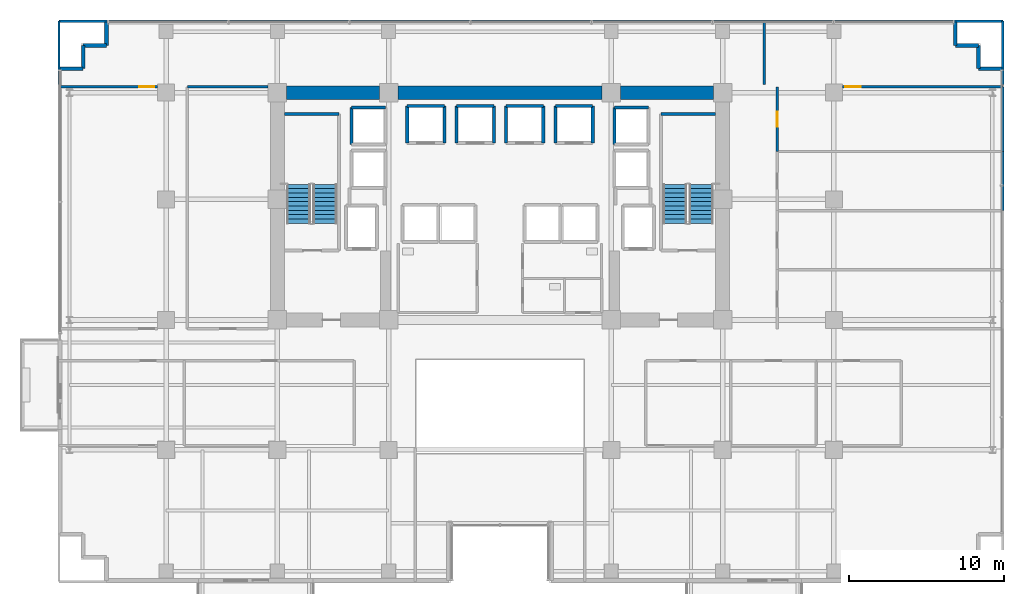
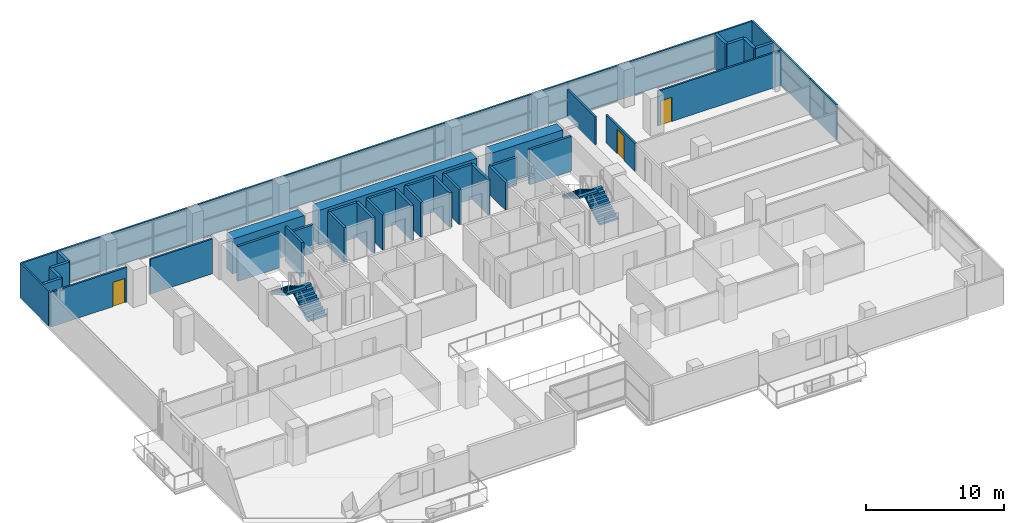
# One storey, part 27 of 32: 40 walls, 4 stair flights, 3 doors, 3 openings, 2 elements without a shape of their own.
"""IFC4 building model written with IfcOpenShell, lengths in metres."""

from ifc_helpers import new_model, si_unit, direction, frame, frame_2d, origin, place, context, subcontext, project, spatial, polyline, rectangle, outline, extrude, source, transform, mapped, material, layer, layer_set, type_object, element, fill, aggregate, save


model = new_model("IFC4")

# Units and contexts
model_context = context("Model", 3, precision=1e-05, world=origin(), true_north=direction((0.0, 1.0)))
body_context = subcontext(model_context, "Body", "Model", "MODEL_VIEW")
ifc_project = project(units=[si_unit("LENGTHUNIT", "METRE"), si_unit("AREAUNIT", "SQUARE_METRE"), si_unit("VOLUMEUNIT", "CUBIC_METRE"), si_unit("PLANEANGLEUNIT", "RADIAN"), si_unit("MASSUNIT", "GRAM", prefix="KILO")], contexts=[model_context])

# Site, building, storey
site_placement = place(None, origin())
site = spatial("IfcSite", under=ifc_project, at=site_placement, CompositionType="ELEMENT")
building_placement = place(site_placement, origin())
building = spatial("IfcBuilding", under=site, at=building_placement, Name="Zarnakvel Exchange Tower", CompositionType="ELEMENT")
storey_placement = place(building_placement, frame((0.0, 0.0, 73.60009765625)))
storey = spatial("IfcBuildingStorey", under=building, at=storey_placement, Name="L20", CompositionType="ELEMENT", Elevation=73.60009765625)

# Walls
ifc_material_1 = material(Name="Concrete C80/95", Category="concrete")
ifc_layer_1 = layer(ifc_material_1, 0.89990234375)
ifc_layer_set_1 = layer_set([ifc_layer_1], Name="Concrete C80/95")
wall_type_1 = type_object("IfcWallType", Name="CW-C1", PredefinedType="SHEAR", material=ifc_layer_set_1)
wall_1_placement = place(storey_placement, frame((-13.800048828125, 13.5, 0.0), z_axis=(0.0, 0.0, 1.0), x_axis=(1.0, 0.0, 0.0)))
element("IfcWall", 1, at=wall_1_placement, inside=storey, type_object=wall_type_1, Name="L20 Rear Core Shear Wall N1 (CW-C1)", PredefinedType="SHEAR", context=body_context, shape_type="SweptSolid", body=[
    extrude(rectangle(XDim=6.0, YDim=0.89990234375, at=frame_2d((3.0, 0.0))), origin(), (0.0, 0.0, 1.0), 3.074951171875),
])
wall_2_placement = place(storey_placement, frame((-6.60009765625, 13.5, 0.0), z_axis=(0.0, 0.0, 1.0), x_axis=(1.0, 0.0, 0.0)))
element("IfcWall", 2, at=wall_2_placement, inside=storey, type_object=wall_type_1, Name="L20 Rear Core Shear Wall N2 (CW-C1)", PredefinedType="SHEAR", context=body_context, shape_type="SweptSolid", body=[
    extrude(rectangle(XDim=13.2001953125, YDim=0.89990234375, at=frame_2d((6.60009765625, 0.0))), origin(), (0.0, 0.0, 1.0), 3.074951171875),
])
wall_3_placement = place(storey_placement, frame((7.800048828125, 13.5, 0.0), z_axis=(0.0, 0.0, 1.0), x_axis=(1.0, 0.0, 0.0)))
element("IfcWall", 3, at=wall_3_placement, inside=storey, type_object=wall_type_1, Name="L20 Rear Core Shear Wall N3 (CW-C1)", PredefinedType="SHEAR", context=body_context, shape_type="SweptSolid", body=[
    extrude(rectangle(XDim=6.0, YDim=0.89990234375, at=frame_2d((3.0, 0.0))), origin(), (0.0, 0.0, 1.0), 3.074951171875),
])
ifc_material_2 = material(Name="Precast concrete C40/50", Category="concrete")
ifc_layer_2 = layer(ifc_material_2, 0.239990234375)
ifc_layer_set_2 = layer_set([ifc_layer_2], Name="Precast concrete C40/50")
wall_type_2 = type_object("IfcWallType", Name="EW-02", PredefinedType="SOLIDWALL", material=ifc_layer_set_2)
for number, where, z_axis, x_axis, name in (
    (4, (-26.9599609375, 15.06005859375, 0.0), (0.0, 0.0, 1.0), (-1.0, 0.0, 0.0), "L20 Exterior Precast Spandrel Wall EWC-L20-03 (EW-02)"),
    (5, (-26.9599609375, 16.56005859375, 0.0), (0.0, 0.0, 1.0), (0.0, -1.0, 0.0), "L20 Exterior Precast Spandrel Wall EWC-L20-04 (EW-02)"),
    (6, (-25.4599609375, 16.56005859375, 0.0), (0.0, 0.0, 1.0), (-1.0, 0.0, 0.0), "L20 Exterior Precast Spandrel Wall EWC-L20-05 (EW-02)"),
    (7, (-25.4599609375, 18.06005859375, 0.0), (0.0, 0.0, 1.0), (0.0, -1.0, 0.0), "L20 Exterior Precast Spandrel Wall EWC-L20-06 (EW-02)"),
    (8, (29.4599609375, 16.56005859375, 0.0), (0.0, 0.0, 1.0), (0.0, 1.0, 0.0), "L20 Exterior Precast Spandrel Wall EWC-L20-07 (EW-02)"),
    (9, (30.9599609375, 16.56005859375, 0.0), (0.0, 0.0, 1.0), (-1.0, 0.0, 0.0), "L20 Exterior Precast Spandrel Wall EWC-L20-08 (EW-02)"),
    (10, (30.9599609375, 15.06005859375, 0.0), (0.0, 0.0, 1.0), (0.0, 1.0, 0.0), "L20 Exterior Precast Spandrel Wall EWC-L20-09 (EW-02)"),
    (11, (32.4599609375, 15.06005859375, 0.0), (0.0, 0.0, 1.0), (-1.0, 0.0, 0.0), "L20 Exterior Precast Spandrel Wall EWC-L20-10 (EW-02)"),
):
    element("IfcWall", number, at=place(storey_placement, frame(where, z_axis=z_axis, x_axis=x_axis)), inside=storey, type_object=wall_type_2, Name=name, PredefinedType="SOLIDWALL", context=body_context, shape_type="SweptSolid", body=[
        extrude(rectangle(XDim=1.5, YDim=0.239990234375, at=frame_2d((0.75, 0.0))), origin(), (0.0, 0.0, 1.0), 3.074951171875),
    ])

# Wall, opening, door
ifc_material_3 = material(Name="Fire-Rated Gypsum Stud Partition", Category="gypsum")
ifc_layer_3 = layer(ifc_material_3, 0.14990234375)
ifc_layer_set_3 = layer_set([ifc_layer_3], Name="Fire-Rated Gypsum Stud Partition")
wall_type_3 = type_object("IfcWallType", Name="PT-01", PredefinedType="PARTITIONING", material=ifc_layer_set_3)
wall_4_placement = place(storey_placement, frame((-28.530029296875, 13.8798828125, 0.0), z_axis=(0.0, 0.0, 1.0), x_axis=(1.0, 0.0, 0.0)))
wall_4 = element("IfcWall", 12, at=wall_4_placement, inside=storey, type_object=wall_type_3, Name="L20 Partition Wall PWALL-L20-046 (PT-01)", PredefinedType="PARTITIONING", context=body_context, shape_type="SweptSolid", body=[
    extrude(rectangle(XDim=6.360107421875, YDim=0.14990234375, at=frame_2d((3.18017578125, 0.0))), origin(), (0.0, 0.0, 1.0), 3.074951171875),
])
opening_1_placement = place(wall_4_placement, frame((5.199951171875, 0.0, 0.0)))
opening_1 = element("IfcOpeningElement", 13, at=opening_1_placement, cuts=wall_4, Name="Opening D-L20-22", PredefinedType="OPENING", context=body_context, shape_type="SweptSolid", body=[
    extrude(rectangle(XDim=0.97998046875, YDim=2.14990234375, at=frame_2d((0.489990234375, 1.074951171875))), frame((0.0, 0.0849609375, 0.0), z_axis=(0.0, -1.0, 0.0), x_axis=(1.0, 0.0, 0.0)), (0.0, 0.0, 1.0), 0.169921875),
])
ifc_material_4 = material(Name="Timber Acoustic Veneer", Category="wood")
door_type = type_object("IfcDoorType", Name="DT-05", OperationType="NOTDEFINED", PredefinedType="DOOR", material=ifc_material_4)
shared_shape = source(origin(), body_context, "Body", "SweptSolid", [
    extrude(rectangle(XDim=0.97998046875, YDim=2.14990234375, at=frame_2d((0.489990234375, 1.074951171875))), frame((0.0, 0.02490234375, 0.0), z_axis=(0.0, -1.0, 0.0), x_axis=(1.0, 0.0, 0.0)), (0.0, 0.0, 1.0), 0.050048828125),
])
door_1_placement = place(opening_1_placement, origin())
door_1 = element("IfcDoor", 14, at=door_1_placement, inside=storey, type_object=door_type, Name="L20 Legal Records Office Door D-L20-22", OperationType="SINGLE_SWING_RIGHT", OverallHeight=2.14990234375, OverallWidth=0.97998046875, PredefinedType="DOOR", context=body_context, shape_type="MappedRepresentation", body=[
    mapped(shared_shape, transform((0.0, 0.0, 0.0), x_axis=(1.0, 0.0, 0.0), y_axis=(0.0, 1.0, 0.0), z_axis=(0.0, 0.0, 1.0), scale=1.0)),
])
fill(opening_1, door_1)

# Walls
wall_5_placement = place(storey_placement, frame((-20.222412109375, 13.8798828125, 0.0), z_axis=(0.0, 0.0, 1.0), x_axis=(1.0, 0.0, 0.0)))
element("IfcWall", 15, at=wall_5_placement, inside=storey, type_object=wall_type_3, Name="L20 Partition Wall PWALL-L20-050 (PT-01)", PredefinedType="PARTITIONING", context=body_context, shape_type="SweptSolid", body=[
    extrude(rectangle(XDim=5.202392578125, YDim=0.14990234375, at=frame_2d((2.60107421875, 0.0))), origin(), (0.0, 0.0, 1.0), 3.074951171875),
])
wall_6_placement = place(storey_placement, frame((32.530029296875, 9.693115234375, 0.0), z_axis=(0.0, 0.0, 1.0), x_axis=(0.0, -1.0, 0.0)))
element("IfcWall", 16, at=wall_6_placement, inside=storey, type_object=wall_type_3, Name="L20 Partition Wall PWALL-L20-060 (PT-01)", PredefinedType="PARTITIONING", context=body_context, shape_type="SweptSolid", body=[
    extrude(rectangle(XDim=3.821044921875, YDim=0.14990234375, at=frame_2d((1.91064453125, 0.0))), origin(), (0.0, 0.0, 1.0), 3.074951171875),
])

# Wall, opening, door
wall_7_placement = place(storey_placement, frame((22.169921875, 13.8798828125, 0.0), z_axis=(0.0, 0.0, 1.0), x_axis=(1.0, 0.0, 0.0)))
wall_7 = element("IfcWall", 17, at=wall_7_placement, inside=storey, type_object=wall_type_3, Name="L20 Partition Wall PWALL-L20-061 (PT-01)", PredefinedType="PARTITIONING", context=body_context, shape_type="SweptSolid", body=[
    extrude(rectangle(XDim=10.360107421875, YDim=0.14990234375, at=frame_2d((5.18017578125, 0.0))), origin(), (0.0, 0.0, 1.0), 3.074951171875),
])
opening_2_placement = place(wall_7_placement, frame((0.179931640625, 0.0, 0.0)))
opening_2 = element("IfcOpeningElement", 18, at=opening_2_placement, cuts=wall_7, Name="Opening D-L20-23", PredefinedType="OPENING", context=body_context, shape_type="SweptSolid", body=[
    extrude(rectangle(XDim=0.97998046875, YDim=2.14990234375, at=frame_2d((0.489990234375, 1.074951171875))), frame((0.0, 0.0849609375, 0.0), z_axis=(0.0, -1.0, 0.0), x_axis=(1.0, 0.0, 0.0)), (0.0, 0.0, 1.0), 0.169921875),
])
door_2_placement = place(opening_2_placement, origin())
door_2 = element("IfcDoor", 19, at=door_2_placement, inside=storey, type_object=door_type, Name="L20 Client Advisory Suite Door D-L20-23", OperationType="SINGLE_SWING_LEFT", OverallHeight=2.14990234375, OverallWidth=0.97998046875, PredefinedType="DOOR", context=body_context, shape_type="MappedRepresentation", body=[
    mapped(shared_shape, transform((0.0, 0.0, 0.0), x_axis=(1.0, 0.0, 0.0), y_axis=(0.0, 1.0, 0.0), z_axis=(0.0, 0.0, 1.0), scale=1.0)),
])
fill(opening_2, door_2)

wall_8_placement = place(storey_placement, frame((17.929931640625, 9.693115234375, 0.0), z_axis=(0.0, 0.0, 1.0), x_axis=(0.0, 1.0, 0.0)))
wall_8 = element("IfcWall", 20, at=wall_8_placement, inside=storey, type_object=wall_type_3, Name="L20 Partition Wall PWALL-L20-062 (PT-01)", PredefinedType="PARTITIONING", context=body_context, shape_type="SweptSolid", body=[
    extrude(rectangle(XDim=4.186767578125, YDim=0.14990234375, at=frame_2d((2.09326171875, 0.0))), origin(), (0.0, 0.0, 1.0), 2.46484375),
])
opening_3_placement = place(wall_8_placement, frame((1.60400390625, 0.0, 0.0)))
opening_3 = element("IfcOpeningElement", 21, at=opening_3_placement, cuts=wall_8, Name="Opening D-L20-21", PredefinedType="OPENING", context=body_context, shape_type="SweptSolid", body=[
    extrude(rectangle(XDim=0.97998046875, YDim=2.14990234375, at=frame_2d((0.489990234375, 1.074951171875))), frame((0.0, 0.0849609375, 0.0), z_axis=(0.0, -1.0, 0.0), x_axis=(1.0, 0.0, 0.0)), (0.0, 0.0, 1.0), 0.169921875),
])
door_3_placement = place(opening_3_placement, origin())
door_3 = element("IfcDoor", 22, at=door_3_placement, inside=storey, type_object=door_type, Name="L20 Sovereign Wealth Office Door D-L20-21", OperationType="SINGLE_SWING_LEFT", OverallHeight=2.14990234375, OverallWidth=0.97998046875, PredefinedType="DOOR", context=body_context, shape_type="MappedRepresentation", body=[
    mapped(shared_shape, transform((0.0, 0.0, 0.0), x_axis=(1.0, 0.0, 0.0), y_axis=(0.0, 1.0, 0.0), z_axis=(0.0, 0.0, 1.0), scale=1.0)),
])
fill(opening_3, door_3)

# Walls
wall_9_placement = place(storey_placement, frame((32.530029296875, 13.8798828125, 0.0), z_axis=(0.0, 0.0, 1.0), x_axis=(0.0, -1.0, 0.0)))
element("IfcWall", 23, at=wall_9_placement, inside=storey, type_object=wall_type_3, Name="L20 Partition Wall PWALL-L20-063 (PT-01)", PredefinedType="PARTITIONING", context=body_context, shape_type="SweptSolid", body=[
    extrude(rectangle(XDim=4.186767578125, YDim=0.14990234375, at=frame_2d((2.09326171875, 0.0))), origin(), (0.0, 0.0, 1.0), 3.074951171875),
])
wall_10_placement = place(storey_placement, frame((-28.530029296875, 18.1298828125, 0.0), z_axis=(0.0, 0.0, 1.0), x_axis=(1.0, 0.0, 0.0)))
element("IfcWall", 24, at=wall_10_placement, inside=storey, type_object=wall_type_3, Name="L20 Partition Wall PWALL-L20-064 (PT-01)", PredefinedType="PARTITIONING", context=body_context, shape_type="SweptSolid", body=[
    extrude(rectangle(XDim=45.630126953125, YDim=0.14990234375, at=frame_2d((22.81494140625, 0.0))), origin(), (0.0, 0.0, 1.0), 3.074951171875),
])
wall_11_placement = place(storey_placement, frame((-28.530029296875, 14.030029296875, 0.0), z_axis=(0.0, 0.0, 1.0), x_axis=(0.0, 1.0, 0.0)))
element("IfcWall", 25, at=wall_11_placement, inside=storey, type_object=wall_type_3, Name="L20 Partition Wall PWALL-L20-065 (PT-01)", PredefinedType="PARTITIONING", context=body_context, shape_type="SweptSolid", body=[
    extrude(rectangle(XDim=4.099853515625, YDim=0.14990234375, at=frame_2d((2.0498046875, 0.0))), origin(), (0.0, 0.0, 1.0), 3.074951171875),
])
wall_12_placement = place(storey_placement, frame((17.10009765625, 18.1298828125, 0.0), z_axis=(0.0, 0.0, 1.0), x_axis=(0.0, -1.0, 0.0)))
element("IfcWall", 26, at=wall_12_placement, inside=storey, type_object=wall_type_3, Name="L20 Partition Wall PWALL-L20-066 (PT-01)", PredefinedType="PARTITIONING", context=body_context, shape_type="SweptSolid", body=[
    extrude(rectangle(XDim=4.099853515625, YDim=0.14990234375, at=frame_2d((2.0498046875, 0.0))), origin(), (0.0, 0.0, 1.0), 2.46484375),
])
wall_13_placement = place(storey_placement, frame((17.10009765625, 18.1298828125, 0.0), z_axis=(0.0, 0.0, 1.0), x_axis=(1.0, 0.0, 0.0)))
element("IfcWall", 27, at=wall_13_placement, inside=storey, type_object=wall_type_3, Name="L20 Partition Wall PWALL-L20-067 (PT-01)", PredefinedType="PARTITIONING", context=body_context, shape_type="SweptSolid", body=[
    extrude(rectangle(XDim=15.429931640625, YDim=0.14990234375, at=frame_2d((7.71484375, 0.0))), origin(), (0.0, 0.0, 1.0), 3.074951171875),
])
wall_14_placement = place(storey_placement, frame((32.530029296875, 18.1298828125, 0.0), z_axis=(0.0, 0.0, 1.0), x_axis=(0.0, -1.0, 0.0)))
element("IfcWall", 28, at=wall_14_placement, inside=storey, type_object=wall_type_3, Name="L20 Partition Wall PWALL-L20-068 (PT-01)", PredefinedType="PARTITIONING", context=body_context, shape_type="SweptSolid", body=[
    extrude(rectangle(XDim=4.099853515625, YDim=0.14990234375, at=frame_2d((2.0498046875, 0.0))), origin(), (0.0, 0.0, 1.0), 3.074951171875),
])
ifc_material_5 = material(Name="Concrete C40/50", Category="concrete")
ifc_layer_4 = layer(ifc_material_5, 0.199951171875)
ifc_layer_set_4 = layer_set([ifc_layer_4], Name="Concrete C40/50")
wall_type_4 = type_object("IfcWallType", Name="SW-01", PredefinedType="SOLIDWALL", material=ifc_layer_set_4)
for number, where, z_axis, x_axis, name in (
    (29, (-6.0, 12.64990234375, 0.0), (0.0, 0.0, 1.0), (1.0, 0.0, 0.0), "L20 PL-01 Hoistway Wall North"),
    (30, (-6.0, 10.25, 0.0), (0.0, 0.0, 1.0), (0.0, 1.0, 0.0), "L20 PL-01 Hoistway Wall West"),
    (31, (-3.60009765625, 12.64990234375, 0.0), (0.0, 0.0, 1.0), (0.0, -1.0, 0.0), "L20 PL-01 Hoistway Wall East"),
):
    element("IfcWall", number, at=place(storey_placement, frame(where, z_axis=z_axis, x_axis=x_axis)), inside=storey, type_object=wall_type_4, Name=name, PredefinedType="SOLIDWALL", context=body_context, shape_type="SweptSolid", body=[
        extrude(rectangle(XDim=2.39990234375, YDim=0.199951171875, at=frame_2d((1.199951171875, 0.0))), origin(), (0.0, 0.0, 1.0), 3.074951171875),
    ])
wall_15_placement = place(storey_placement, frame((-2.800048828125, 12.64990234375, 0.0), z_axis=(0.0, 0.0, 1.0), x_axis=(1.0, 0.0, 0.0)))
element("IfcWall", 32, at=wall_15_placement, inside=storey, type_object=wall_type_4, Name="L20 PL-02 Hoistway Wall North", PredefinedType="SOLIDWALL", context=body_context, shape_type="SweptSolid", body=[
    extrude(rectangle(XDim=2.400146484375, YDim=0.199951171875, at=frame_2d((1.2001953125, 0.0))), origin(), (0.0, 0.0, 1.0), 3.074951171875),
])
for number, where, z_axis, x_axis, name in (
    (33, (-2.800048828125, 10.25, 0.0), (0.0, 0.0, 1.0), (0.0, 1.0, 0.0), "L20 PL-02 Hoistway Wall West"),
    (34, (-0.39990234375, 12.64990234375, 0.0), (0.0, 0.0, 1.0), (0.0, -1.0, 0.0), "L20 PL-02 Hoistway Wall East"),
):
    element("IfcWall", number, at=place(storey_placement, frame(where, z_axis=z_axis, x_axis=x_axis)), inside=storey, type_object=wall_type_4, Name=name, PredefinedType="SOLIDWALL", context=body_context, shape_type="SweptSolid", body=[
        extrude(rectangle(XDim=2.39990234375, YDim=0.199951171875, at=frame_2d((1.199951171875, 0.0))), origin(), (0.0, 0.0, 1.0), 3.074951171875),
    ])
wall_16_placement = place(storey_placement, frame((0.39990234375, 12.64990234375, 0.0), z_axis=(0.0, 0.0, 1.0), x_axis=(1.0, 0.0, 0.0)))
element("IfcWall", 35, at=wall_16_placement, inside=storey, type_object=wall_type_4, Name="L20 PL-03 Hoistway Wall North", PredefinedType="SOLIDWALL", context=body_context, shape_type="SweptSolid", body=[
    extrude(rectangle(XDim=2.400146484375, YDim=0.199951171875, at=frame_2d((1.2001953125, 0.0))), origin(), (0.0, 0.0, 1.0), 3.074951171875),
])
for number, where, z_axis, x_axis, name in (
    (36, (0.39990234375, 10.25, 0.0), (0.0, 0.0, 1.0), (0.0, 1.0, 0.0), "L20 PL-03 Hoistway Wall West"),
    (37, (2.800048828125, 12.64990234375, 0.0), (0.0, 0.0, 1.0), (0.0, -1.0, 0.0), "L20 PL-03 Hoistway Wall East"),
    (38, (3.60009765625, 12.64990234375, 0.0), (0.0, 0.0, 1.0), (1.0, 0.0, 0.0), "L20 PL-04 Hoistway Wall North"),
    (39, (3.60009765625, 10.25, 0.0), (0.0, 0.0, 1.0), (0.0, 1.0, 0.0), "L20 PL-04 Hoistway Wall West"),
    (40, (6.0, 12.64990234375, 0.0), (0.0, 0.0, 1.0), (0.0, -1.0, 0.0), "L20 PL-04 Hoistway Wall East"),
):
    element("IfcWall", number, at=place(storey_placement, frame(where, z_axis=z_axis, x_axis=x_axis)), inside=storey, type_object=wall_type_4, Name=name, PredefinedType="SOLIDWALL", context=body_context, shape_type="SweptSolid", body=[
        extrude(rectangle(XDim=2.39990234375, YDim=0.199951171875, at=frame_2d((1.199951171875, 0.0))), origin(), (0.0, 0.0, 1.0), 3.074951171875),
    ])
wall_17_placement = place(storey_placement, frame((-9.60009765625, 12.550048828125, 0.0), z_axis=(0.0, 0.0, 1.0), x_axis=(1.0, 0.0, 0.0)))
element("IfcWall", 41, at=wall_17_placement, inside=storey, type_object=wall_type_4, Name="L20 PL-10 Hoistway Wall North", PredefinedType="SOLIDWALL", context=body_context, shape_type="SweptSolid", body=[
    extrude(rectangle(XDim=2.2001953125, YDim=0.199951171875, at=frame_2d((1.10009765625, 0.0))), origin(), (0.0, 0.0, 1.0), 2.46484375),
])
wall_18_placement = place(storey_placement, frame((-9.60009765625, 10.14990234375, 0.0), z_axis=(0.0, 0.0, 1.0), x_axis=(0.0, 1.0, 0.0)))
element("IfcWall", 42, at=wall_18_placement, inside=storey, type_object=wall_type_4, Name="L20 PL-10 Hoistway Wall West", PredefinedType="SOLIDWALL", context=body_context, shape_type="SweptSolid", body=[
    extrude(rectangle(XDim=2.400146484375, YDim=0.199951171875, at=frame_2d((1.2001953125, 0.0))), origin(), (0.0, 0.0, 1.0), 3.074951171875),
])
wall_19_placement = place(storey_placement, frame((7.39990234375, 12.550048828125, 0.0), z_axis=(0.0, 0.0, 1.0), x_axis=(1.0, 0.0, 0.0)))
element("IfcWall", 43, at=wall_19_placement, inside=storey, type_object=wall_type_4, Name="L20 PL-12 Hoistway Wall North", PredefinedType="SOLIDWALL", context=body_context, shape_type="SweptSolid", body=[
    extrude(rectangle(XDim=2.2001953125, YDim=0.199951171875, at=frame_2d((1.10009765625, 0.0))), origin(), (0.0, 0.0, 1.0), 2.46484375),
])
wall_20_placement = place(storey_placement, frame((7.39990234375, 10.14990234375, 0.0), z_axis=(0.0, 0.0, 1.0), x_axis=(0.0, 1.0, 0.0)))
element("IfcWall", 44, at=wall_20_placement, inside=storey, type_object=wall_type_4, Name="L20 PL-12 Hoistway Wall West", PredefinedType="SOLIDWALL", context=body_context, shape_type="SweptSolid", body=[
    extrude(rectangle(XDim=2.400146484375, YDim=0.199951171875, at=frame_2d((1.2001953125, 0.0))), origin(), (0.0, 0.0, 1.0), 2.46484375),
])
ifc_layer_5 = layer(ifc_material_5, 0.199951171875)
ifc_layer_set_5 = layer_set([ifc_layer_5], Name="Concrete C40/50")
wall_type_5 = type_object("IfcWallType", Name="SW-02", PredefinedType="SOLIDWALL", material=ifc_layer_set_5)
for number, where, z_axis, x_axis, name in (
    (45, (-13.929931640625, 12.1298828125, 0.0), (0.0, 0.0, 1.0), (1.0, 0.0, 0.0), "L20 Stairwell Core Wall PWALL-L20-002 (SW-02)"),
    (46, (10.409912109375, 12.1298828125, 0.0), (0.0, 0.0, 1.0), (1.0, 0.0, 0.0), "L20 Stairwell Core Wall PWALL-L20-005 (SW-02)"),
):
    element("IfcWall", number, at=place(storey_placement, frame(where, z_axis=z_axis, x_axis=x_axis)), inside=storey, type_object=wall_type_5, Name=name, PredefinedType="SOLIDWALL", context=body_context, shape_type="SweptSolid", body=[
        extrude(rectangle(XDim=3.52001953125, YDim=0.199951171875, at=frame_2d((1.760009765625, 0.0))), origin(), (0.0, 0.0, 1.0), 3.074951171875),
    ])

# Stair, stair flights
stair_type = type_object("IfcStairType", Name="STR-01", PredefinedType="HALF_TURN_STAIR", material=ifc_material_5)
stair_1_placement = place(storey_placement, origin())
stair_1 = element("IfcStair", 47, at=stair_1_placement, inside=storey, type_object=stair_type, Name="L20 Protected Core Exit Stair ST-01", PredefinedType="HALF_TURN_STAIR")
stair_flight_type = type_object("IfcStairFlightType", Name="FLT-01", PredefinedType="STRAIGHT", material=ifc_material_5)
stair_flight_1_placement = place(storey_placement, frame((-11.31494140625, 5.050048828125, 0.0), z_axis=(0.0, 0.0, 1.0), x_axis=(0.0, 1.0, 0.0)))
stair_flight_1 = element("IfcStairFlight", 48, at=stair_flight_1_placement, type_object=stair_flight_type, Name="ST-01 flight 1", NumberOfRisers=10, NumberOfTreads=9, PredefinedType="STRAIGHT", RiserHeight=0.165, TreadLength=0.28, context=body_context, shape_type="SweptSolid", body=[
    extrude(outline(polyline([(0.0, 0.0), (0.0, 0.1650390625), (0.280029296875, 0.1650390625), (0.280029296875, 0.330078125), (0.56005859375, 0.330078125), (0.56005859375, 0.4951171875), (0.840087890625, 0.4951171875), (0.840087890625, 0.659912109375), (1.1201171875, 0.659912109375), (1.1201171875, 0.824951171875), (1.39990234375, 0.824951171875), (1.39990234375, 0.989990234375), (1.679931640625, 0.989990234375), (1.679931640625, 1.155029296875), (1.9599609375, 1.155029296875), (1.9599609375, 1.320068359375), (2.239990234375, 1.320068359375), (2.239990234375, 1.485107421875), (2.52001953125, 1.485107421875), (2.52001953125, 1.64990234375), (2.52001953125, 1.31103515625), (0.295166015625, 0.0), (0.0, 0.0)])), frame((0.0, 0.77490234375, 0.0), z_axis=(0.0, -1.0, 0.0), x_axis=(1.0, 0.0, 0.0)), (0.0, 0.0, 1.0), 1.550048828125),
])
stair_flight_2_placement = place(storey_placement, frame((-13.02490234375, 7.570068359375, 1.64990234375), z_axis=(0.0, 0.0, 1.0), x_axis=(0.0, -1.0, 0.0)))
stair_flight_2 = element("IfcStairFlight", 49, at=stair_flight_2_placement, type_object=stair_flight_type, Name="ST-01 flight 2", NumberOfRisers=10, NumberOfTreads=9, PredefinedType="STRAIGHT", RiserHeight=0.165, TreadLength=0.28, context=body_context, shape_type="SweptSolid", body=[
    extrude(outline(polyline([(0.0, 0.0), (0.0, 0.1650390625), (0.280029296875, 0.1650390625), (0.280029296875, 0.330078125), (0.56005859375, 0.330078125), (0.56005859375, 0.4951171875), (0.840087890625, 0.4951171875), (0.840087890625, 0.659912109375), (1.1201171875, 0.659912109375), (1.1201171875, 0.824951171875), (1.39990234375, 0.824951171875), (1.39990234375, 0.989990234375), (1.679931640625, 0.989990234375), (1.679931640625, 1.155029296875), (1.9599609375, 1.155029296875), (1.9599609375, 1.320068359375), (2.239990234375, 1.320068359375), (2.239990234375, 1.485107421875), (2.52001953125, 1.485107421875), (2.52001953125, 1.64990234375), (2.52001953125, 1.31103515625), (0.295166015625, 0.0), (0.0, 0.0)])), frame((0.0, 0.77490234375, 0.0), z_axis=(0.0, -1.0, 0.0), x_axis=(1.0, 0.0, 0.0)), (0.0, 0.0, 1.0), 1.550048828125),
])
aggregate(stair_1, [stair_flight_1, stair_flight_2])

stair_2_placement = place(storey_placement, origin())
stair_2 = element("IfcStair", 50, at=stair_2_placement, inside=storey, type_object=stair_type, Name="L20 Protected Core Exit Stair ST-02", PredefinedType="HALF_TURN_STAIR")
stair_flight_3_placement = place(storey_placement, frame((13.02490234375, 5.050048828125, 0.0), z_axis=(0.0, 0.0, 1.0), x_axis=(0.0, 1.0, 0.0)))
stair_flight_3 = element("IfcStairFlight", 51, at=stair_flight_3_placement, type_object=stair_flight_type, Name="ST-02 flight 1", NumberOfRisers=10, NumberOfTreads=9, PredefinedType="STRAIGHT", RiserHeight=0.165, TreadLength=0.28, context=body_context, shape_type="SweptSolid", body=[
    extrude(outline(polyline([(0.0, 0.0), (0.0, 0.1650390625), (0.280029296875, 0.1650390625), (0.280029296875, 0.330078125), (0.56005859375, 0.330078125), (0.56005859375, 0.4951171875), (0.840087890625, 0.4951171875), (0.840087890625, 0.659912109375), (1.1201171875, 0.659912109375), (1.1201171875, 0.824951171875), (1.39990234375, 0.824951171875), (1.39990234375, 0.989990234375), (1.679931640625, 0.989990234375), (1.679931640625, 1.155029296875), (1.9599609375, 1.155029296875), (1.9599609375, 1.320068359375), (2.239990234375, 1.320068359375), (2.239990234375, 1.485107421875), (2.52001953125, 1.485107421875), (2.52001953125, 1.64990234375), (2.52001953125, 1.31103515625), (0.295166015625, 0.0), (0.0, 0.0)])), frame((0.0, 0.77490234375, 0.0), z_axis=(0.0, -1.0, 0.0), x_axis=(1.0, 0.0, 0.0)), (0.0, 0.0, 1.0), 1.550048828125),
])
stair_flight_4_placement = place(storey_placement, frame((11.31494140625, 7.570068359375, 1.64990234375), z_axis=(0.0, 0.0, 1.0), x_axis=(0.0, -1.0, 0.0)))
stair_flight_4 = element("IfcStairFlight", 52, at=stair_flight_4_placement, type_object=stair_flight_type, Name="ST-02 flight 2", NumberOfRisers=10, NumberOfTreads=9, PredefinedType="STRAIGHT", RiserHeight=0.165, TreadLength=0.28, context=body_context, shape_type="SweptSolid", body=[
    extrude(outline(polyline([(0.0, 0.0), (0.0, 0.1650390625), (0.280029296875, 0.1650390625), (0.280029296875, 0.330078125), (0.56005859375, 0.330078125), (0.56005859375, 0.4951171875), (0.840087890625, 0.4951171875), (0.840087890625, 0.659912109375), (1.1201171875, 0.659912109375), (1.1201171875, 0.824951171875), (1.39990234375, 0.824951171875), (1.39990234375, 0.989990234375), (1.679931640625, 0.989990234375), (1.679931640625, 1.155029296875), (1.9599609375, 1.155029296875), (1.9599609375, 1.320068359375), (2.239990234375, 1.320068359375), (2.239990234375, 1.485107421875), (2.52001953125, 1.485107421875), (2.52001953125, 1.64990234375), (2.52001953125, 1.31103515625), (0.295166015625, 0.0), (0.0, 0.0)])), frame((0.0, 0.77490234375, 0.0), z_axis=(0.0, -1.0, 0.0), x_axis=(1.0, 0.0, 0.0)), (0.0, 0.0, 1.0), 1.550048828125),
])
aggregate(stair_2, [stair_flight_3, stair_flight_4])

save(model, "model.ifc")
